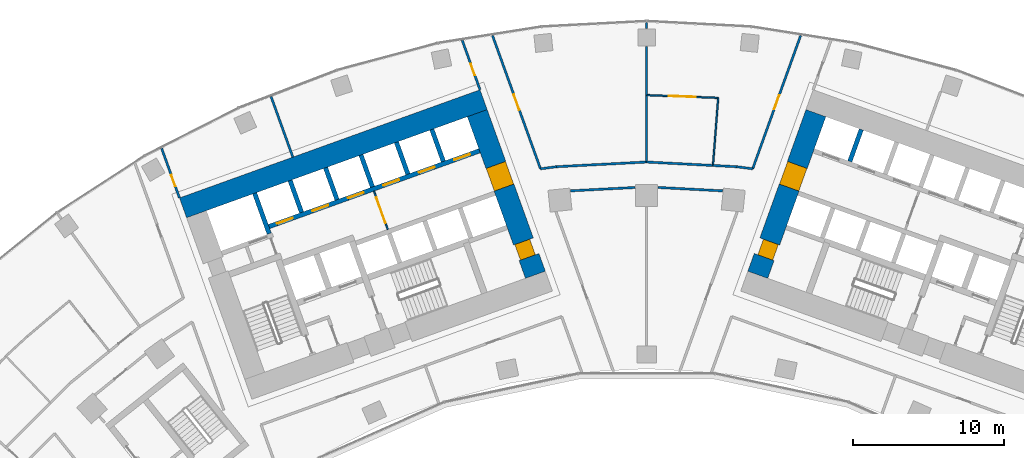
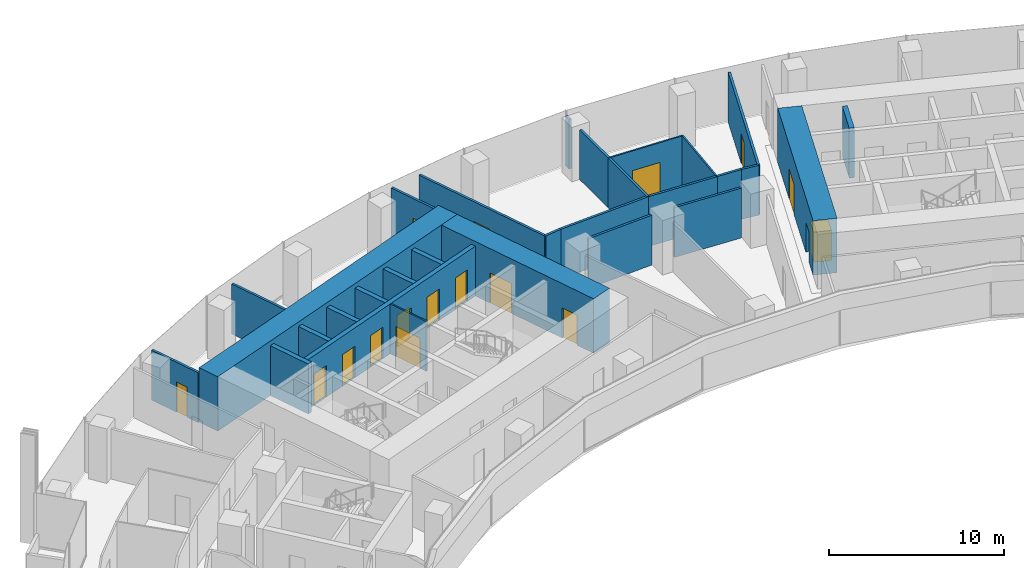
# One storey, part 15 of 20: 29 walls, 16 doors, 16 openings.
"""IFC4 building model written with IfcOpenShell, lengths in metres."""

from ifc_helpers import new_model, si_unit, direction, frame, frame_2d, origin, place, context, subcontext, project, spatial, rectangle, extrude, material, layer, layer_set, type_object, element, fill, save


model = new_model("IFC4")

# Units and contexts
model_context = context("Model", 3, precision=1e-05, world=origin(), true_north=direction((0.0, 1.0)))
body_context = subcontext(model_context, "Body", "Model", "MODEL_VIEW")
ifc_project = project(units=[si_unit("LENGTHUNIT", "METRE"), si_unit("AREAUNIT", "SQUARE_METRE"), si_unit("VOLUMEUNIT", "CUBIC_METRE"), si_unit("PLANEANGLEUNIT", "RADIAN"), si_unit("MASSUNIT", "GRAM", prefix="KILO")], contexts=[model_context])

# Site, building, storey
site_placement = place(None, origin())
site = spatial("IfcSite", under=ifc_project, at=site_placement, CompositionType="ELEMENT")
building_placement = place(site_placement, origin())
building = spatial("IfcBuilding", under=site, at=building_placement, Name="Stone Belt Terrace Tower", CompositionType="ELEMENT")
storey_placement = place(building_placement, frame((0.0, 0.0, 102.199951171875)))
storey = spatial("IfcBuildingStorey", under=building, at=storey_placement, Name="L24", CompositionType="ELEMENT", Elevation=102.199951171875)

# Wall, opening, door
ifc_material_1 = material(Name="Plasterboard partition")
ifc_layer_1 = layer(ifc_material_1, 0.10009765625)
ifc_layer_set_1 = layer_set([ifc_layer_1], Name="Core partition 100")
wall_type_1 = type_object("IfcWallType", Name="Core partition 100", PredefinedType="PARTITIONING", material=ifc_layer_set_1)
wall_1_placement = place(storey_placement, frame((-17.17724609375, 52.749755859375, 0.0), z_axis=(0.0, 0.0, 1.0), x_axis=(-0.338546555931, 0.940949642365, 0.0)))
wall_1 = element("IfcWall", 1, at=wall_1_placement, inside=storey, type_object=wall_type_1, Name="Core A wall", PredefinedType="PARTITIONING", context=body_context, shape_type="SweptSolid", body=[
    extrude(rectangle(XDim=2.699951171875, YDim=0.10009765625, at=frame_2d((1.35009765625, 0.0))), origin(), (0.0, 0.0, 1.0), 3.47998046875),
])
opening_1_placement = place(wall_1_placement, frame((0.449951171875, 0.0, 0.0)))
opening_1 = element("IfcOpeningElement", 2, at=opening_1_placement, cuts=wall_1, Name="Opening L24-C03", PredefinedType="OPENING", context=body_context, shape_type="SweptSolid", body=[
    extrude(rectangle(XDim=1.800048828125, YDim=2.10009765625, at=frame_2d((0.89990234375, 1.050048828125))), frame((0.0, 0.06005859375, 0.0), z_axis=(0.0, -1.0, 0.0), x_axis=(1.0, 0.0, 0.0)), (0.0, 0.0, 1.0), 0.1201171875),
])
ifc_material_2 = material(Name="Glazed aluminium door leaf", Category="aluminium")
door_type_1 = type_object("IfcDoorType", Name="Lift lobby entrance door 1800", OperationType="DOUBLE_DOOR_SINGLE_SWING", PredefinedType="DOOR", material=ifc_material_2)
door_1_placement = place(opening_1_placement, origin())
door_1 = element("IfcDoor", 3, at=door_1_placement, inside=storey, type_object=door_type_1, Name="Lift lobby double door core A", OperationType="DOUBLE_DOOR_SINGLE_SWING", OverallHeight=2.10009765625, OverallWidth=1.800048828125, PredefinedType="DOOR", context=body_context, shape_type="SweptSolid", body=[
    extrude(rectangle(XDim=1.800048828125, YDim=2.10009765625, at=frame_2d((0.89990234375, 1.050048828125))), frame((0.0, 0.02490234375, 0.0), z_axis=(0.0, -1.0, 0.0), x_axis=(1.0, 0.0, 0.0)), (0.0, 0.0, 1.0), 0.050048828125),
])
fill(opening_1, door_1)

# Wall
ifc_material_3 = material(Name="Concrete B80", Category="concrete")
ifc_layer_2 = layer(ifc_material_3, 1.39990234375)
ifc_layer_set_2 = layer_set([ifc_layer_2], Name="Core wall 1400 B80")
wall_type_2 = type_object("IfcWallType", Name="Core wall 1400 B80", PredefinedType="SHEAR", material=ifc_layer_set_2)
wall_2_placement = place(storey_placement, frame((-30.765380859375, 54.18310546875, 0.0), z_axis=(0.0, 0.0, 1.0), x_axis=(0.940919704758, 0.338629752382, 0.0)))
element("IfcWall", 4, at=wall_2_placement, inside=storey, type_object=wall_type_2, Name="Core A wall convex L24", PredefinedType="SHEAR", context=body_context, shape_type="SweptSolid", body=[
    extrude(rectangle(XDim=21.199951171875, YDim=1.39990234375, at=frame_2d((10.60009765625, 0.0))), origin(), (0.0, 0.0, 1.0), 3.800048828125),
])

# Wall, openings, doors
wall_3_placement = place(storey_placement, frame((-7.379150390625, 49.73974609375, 0.0), z_axis=(0.0, 0.0, 1.0), x_axis=(-0.338625431531, 0.940921259788, 0.0)))
wall_3 = element("IfcWall", 5, at=wall_3_placement, inside=storey, type_object=wall_type_2, Name="Core A wall end_b L24", PredefinedType="SHEAR", context=body_context, shape_type="SweptSolid", body=[
    extrude(rectangle(XDim=11.400146484375, YDim=1.39990234375, at=frame_2d((5.7001953125, 0.0))), origin(), (0.0, 0.0, 1.0), 3.800048828125),
])
opening_2_placement = place(wall_3_placement, frame((6.14990234375, 0.0, 0.0)))
opening_2 = element("IfcOpeningElement", 6, at=opening_2_placement, cuts=wall_3, Name="Opening L24-C04", PredefinedType="OPENING", context=body_context, shape_type="SweptSolid", body=[
    extrude(rectangle(XDim=1.60009765625, YDim=2.10009765625, at=frame_2d((0.800048828125, 1.050048828125))), frame((0.0, 0.7099609375, 0.0), z_axis=(0.0, -1.0, 0.0), x_axis=(1.0, 0.0, 0.0)), (0.0, 0.0, 1.0), 1.419921875),
])
opening_3_placement = place(wall_3_placement, frame((1.25, 0.0, 0.0)))
opening_3 = element("IfcOpeningElement", 7, at=opening_3_placement, cuts=wall_3, Name="Opening L24-C10", PredefinedType="OPENING", context=body_context, shape_type="SweptSolid", body=[
    extrude(rectangle(XDim=1.10009765625, YDim=2.10009765625, at=frame_2d((0.550048828125, 1.050048828125))), frame((0.0, 0.7099609375, 0.0), z_axis=(0.0, -1.0, 0.0), x_axis=(1.0, 0.0, 0.0)), (0.0, 0.0, 1.0), 1.419921875),
])
ifc_material_4 = material(Name="Timber door leaf", Category="wood")
door_type_2 = type_object("IfcDoorType", Name="Core room door 1100", OperationType="SINGLE_SWING_LEFT", PredefinedType="DOOR", material=ifc_material_4)
door_2_placement = place(opening_3_placement, origin())
door_2 = element("IfcDoor", 8, at=door_2_placement, inside=storey, type_object=door_type_2, Name="Door to Electrical riser room core A", OperationType="SINGLE_SWING_LEFT", OverallHeight=2.10009765625, OverallWidth=1.10009765625, PredefinedType="DOOR", context=body_context, shape_type="SweptSolid", body=[
    extrude(rectangle(XDim=1.10009765625, YDim=2.10009765625, at=frame_2d((0.550048828125, 1.050048828125))), frame((0.0, 0.60498046875, 0.0), z_axis=(0.0, -1.0, 0.0), x_axis=(1.0, 0.0, 0.0)), (0.0, 0.0, 1.0), 1.050048828125),
])
fill(opening_3, door_2)
door_type_3 = type_object("IfcDoorType", Name="Lift lobby entrance door 1600", OperationType="DOUBLE_DOOR_SINGLE_SWING", PredefinedType="DOOR", material=ifc_material_2)
door_3_placement = place(opening_2_placement, origin())
door_3 = element("IfcDoor", 9, at=door_3_placement, inside=storey, type_object=door_type_3, Name="Lift lobby entrance door core A", OperationType="DOUBLE_DOOR_SINGLE_SWING", OverallHeight=2.10009765625, OverallWidth=1.60009765625, PredefinedType="DOOR", context=body_context, shape_type="SweptSolid", body=[
    extrude(rectangle(XDim=1.60009765625, YDim=2.10009765625, at=frame_2d((0.800048828125, 1.050048828125))), frame((0.0, 0.68017578125, 0.0), z_axis=(0.0, -1.0, 0.0), x_axis=(1.0, 0.0, 0.0)), (0.0, 0.0, 1.0), 1.360107421875),
])
fill(opening_2, door_3)

wall_4_placement = place(storey_placement, frame((7.379150390625, 49.73974609375, 0.0), z_axis=(0.0, 0.0, 1.0), x_axis=(0.338625431531, 0.940921259788, 0.0)))
wall_4 = element("IfcWall", 10, at=wall_4_placement, inside=storey, type_object=wall_type_2, Name="Core B wall end_a L24", PredefinedType="SHEAR", context=body_context, shape_type="SweptSolid", body=[
    extrude(rectangle(XDim=11.400146484375, YDim=1.39990234375, at=frame_2d((5.7001953125, 0.0))), origin(), (0.0, 0.0, 1.0), 3.800048828125),
])
opening_4_placement = place(wall_4_placement, frame((6.14990234375, 0.0, 0.0)))
opening_4 = element("IfcOpeningElement", 11, at=opening_4_placement, cuts=wall_4, Name="Opening L24-C14", PredefinedType="OPENING", context=body_context, shape_type="SweptSolid", body=[
    extrude(rectangle(XDim=1.60009765625, YDim=2.10009765625, at=frame_2d((0.800048828125, 1.050048828125))), frame((0.0, 0.7099609375, 0.0), z_axis=(0.0, -1.0, 0.0), x_axis=(1.0, 0.0, 0.0)), (0.0, 0.0, 1.0), 1.419921875),
])
opening_5_placement = place(wall_4_placement, frame((1.25, 0.0, 0.0)))
opening_5 = element("IfcOpeningElement", 12, at=opening_5_placement, cuts=wall_4, Name="Opening L24-C20", PredefinedType="OPENING", context=body_context, shape_type="SweptSolid", body=[
    extrude(rectangle(XDim=1.10009765625, YDim=2.10009765625, at=frame_2d((0.550048828125, 1.050048828125))), frame((0.0, 0.7099609375, 0.0), z_axis=(0.0, -1.0, 0.0), x_axis=(1.0, 0.0, 0.0)), (0.0, 0.0, 1.0), 1.419921875),
])
door_4_placement = place(opening_5_placement, origin())
door_4 = element("IfcDoor", 13, at=door_4_placement, inside=storey, type_object=door_type_2, Name="Door to Electrical riser room core B", OperationType="SINGLE_SWING_RIGHT", OverallHeight=2.10009765625, OverallWidth=1.10009765625, PredefinedType="DOOR", context=body_context, shape_type="SweptSolid", body=[
    extrude(rectangle(XDim=1.10009765625, YDim=2.10009765625, at=frame_2d((0.550048828125, 1.050048828125))), frame((0.0, 0.44482421875, 0.0), z_axis=(0.0, -1.0, 0.0), x_axis=(1.0, 0.0, 0.0)), (0.0, 0.0, 1.0), 1.050048828125),
])
fill(opening_5, door_4)
door_5_placement = place(opening_4_placement, origin())
door_5 = element("IfcDoor", 14, at=door_5_placement, inside=storey, type_object=door_type_3, Name="Lift lobby entrance door core B", OperationType="DOUBLE_DOOR_SINGLE_SWING", OverallHeight=2.10009765625, OverallWidth=1.60009765625, PredefinedType="DOOR", context=body_context, shape_type="SweptSolid", body=[
    extrude(rectangle(XDim=1.60009765625, YDim=2.10009765625, at=frame_2d((0.800048828125, 1.050048828125))), frame((0.0, 0.68017578125, 0.0), z_axis=(0.0, -1.0, 0.0), x_axis=(1.0, 0.0, 0.0)), (0.0, 0.0, 1.0), 1.360107421875),
])
fill(opening_4, door_5)

# Wall
ifc_layer_3 = layer(ifc_material_3, 0.300048828125)
ifc_layer_set_3 = layer_set([ifc_layer_3], Name="Lift shaft wall 300")
wall_type_3 = type_object("IfcWallType", Name="Lift shaft wall 300", PredefinedType="SHEAR", material=ifc_layer_set_3)
wall_5_placement = place(storey_placement, frame((-25.046875, 52.46826171875, 0.0), z_axis=(0.0, 0.0, 1.0), x_axis=(-0.338549588058, 0.940948551423, 0.0)))
element("IfcWall", 15, at=wall_5_placement, inside=storey, type_object=wall_type_3, Name="Core A wall", PredefinedType="SHEAR", context=body_context, shape_type="SweptSolid", body=[
    extrude(rectangle(XDim=2.849853515625, YDim=0.300048828125, at=frame_2d((1.4248046875, 0.0))), origin(), (0.0, 0.0, 1.0), 3.47998046875),
])

# Wall, openings, doors
wall_6_placement = place(storey_placement, frame((-25.05810546875, 52.9423828125, 0.0), z_axis=(0.0, 0.0, 1.0), x_axis=(0.940918215764, 0.338633889685, 0.0)))
wall_6 = element("IfcWall", 16, at=wall_6_placement, inside=storey, type_object=wall_type_3, Name="Core A wall", PredefinedType="SHEAR", context=body_context, shape_type="SweptSolid", body=[
    extrude(rectangle(XDim=14.850341796875, YDim=0.300048828125, at=frame_2d((7.42529296875, 0.0))), origin(), (0.0, 0.0, 1.0), 3.47998046875),
])
opening_6_placement = place(wall_6_placement, frame((0.570068359375, 0.0, 0.0)))
opening_6 = element("IfcOpeningElement", 17, at=opening_6_placement, cuts=wall_6, Name="Opening L24-LD01", PredefinedType="OPENING", context=body_context, shape_type="SweptSolid", body=[
    extrude(rectangle(XDim=1.10009765625, YDim=2.199951171875, at=frame_2d((0.550048828125, 1.10009765625))), frame((0.0, 0.159912109375, 0.0), z_axis=(0.0, -1.0, 0.0), x_axis=(1.0, 0.0, 0.0)), (0.0, 0.0, 1.0), 0.320068359375),
])
opening_7_placement = place(wall_6_placement, frame((3.070068359375, 0.0, 0.0)))
opening_7 = element("IfcOpeningElement", 18, at=opening_7_placement, cuts=wall_6, Name="Opening L24-LD02", PredefinedType="OPENING", context=body_context, shape_type="SweptSolid", body=[
    extrude(rectangle(XDim=1.10009765625, YDim=2.199951171875, at=frame_2d((0.550048828125, 1.10009765625))), frame((0.0, 0.159912109375, 0.0), z_axis=(0.0, -1.0, 0.0), x_axis=(1.0, 0.0, 0.0)), (0.0, 0.0, 1.0), 0.320068359375),
])
opening_8_placement = place(wall_6_placement, frame((5.570068359375, 0.0, 0.0)))
opening_8 = element("IfcOpeningElement", 19, at=opening_8_placement, cuts=wall_6, Name="Opening L24-LD03", PredefinedType="OPENING", context=body_context, shape_type="SweptSolid", body=[
    extrude(rectangle(XDim=1.10009765625, YDim=2.199951171875, at=frame_2d((0.550048828125, 1.10009765625))), frame((0.0, 0.159912109375, 0.0), z_axis=(0.0, -1.0, 0.0), x_axis=(1.0, 0.0, 0.0)), (0.0, 0.0, 1.0), 0.320068359375),
])
opening_9_placement = place(wall_6_placement, frame((8.070068359375, 0.0, 0.0)))
opening_9 = element("IfcOpeningElement", 20, at=opening_9_placement, cuts=wall_6, Name="Opening L24-LD04", PredefinedType="OPENING", context=body_context, shape_type="SweptSolid", body=[
    extrude(rectangle(XDim=1.10009765625, YDim=2.199951171875, at=frame_2d((0.550048828125, 1.10009765625))), frame((0.0, 0.159912109375, 0.0), z_axis=(0.0, -1.0, 0.0), x_axis=(1.0, 0.0, 0.0)), (0.0, 0.0, 1.0), 0.320068359375),
])
opening_10_placement = place(wall_6_placement, frame((10.570068359375, 0.0, 0.0)))
opening_10 = element("IfcOpeningElement", 21, at=opening_10_placement, cuts=wall_6, Name="Opening L24-LD05", PredefinedType="OPENING", context=body_context, shape_type="SweptSolid", body=[
    extrude(rectangle(XDim=1.10009765625, YDim=2.199951171875, at=frame_2d((0.550048828125, 1.10009765625))), frame((0.0, 0.159912109375, 0.0), z_axis=(0.0, -1.0, 0.0), x_axis=(1.0, 0.0, 0.0)), (0.0, 0.0, 1.0), 0.320068359375),
])
opening_11_placement = place(wall_6_placement, frame((13.070068359375, 0.0, 0.0)))
opening_11 = element("IfcOpeningElement", 22, at=opening_11_placement, cuts=wall_6, Name="Opening L24-LD06", PredefinedType="OPENING", context=body_context, shape_type="SweptSolid", body=[
    extrude(rectangle(XDim=1.10009765625, YDim=2.199951171875, at=frame_2d((0.550048828125, 1.10009765625))), frame((0.0, 0.159912109375, 0.0), z_axis=(0.0, -1.0, 0.0), x_axis=(1.0, 0.0, 0.0)), (0.0, 0.0, 1.0), 0.320068359375),
])
ifc_material_5 = material(Name="Stainless steel door leaf", Category="steel")
door_type_4 = type_object("IfcDoorType", Name="Landing door 1100", OperationType="SLIDING_TO_LEFT", PredefinedType="DOOR", material=ifc_material_5)
door_6_placement = place(opening_6_placement, origin())
door_6 = element("IfcDoor", 23, at=door_6_placement, inside=storey, type_object=door_type_4, Name="Landing door LR1 core A", OperationType="SLIDING_TO_LEFT", OverallHeight=2.199951171875, OverallWidth=1.10009765625, PredefinedType="DOOR", context=body_context, shape_type="SweptSolid", body=[
    extrude(rectangle(XDim=1.10009765625, YDim=2.199951171875, at=frame_2d((0.550048828125, 1.10009765625))), frame((0.0, 0.02490234375, 0.0), z_axis=(0.0, -1.0, 0.0), x_axis=(1.0, 0.0, 0.0)), (0.0, 0.0, 1.0), 0.050048828125),
])
fill(opening_6, door_6)
door_7_placement = place(opening_7_placement, origin())
door_7 = element("IfcDoor", 24, at=door_7_placement, inside=storey, type_object=door_type_4, Name="Landing door LR2 core A", OperationType="SLIDING_TO_LEFT", OverallHeight=2.199951171875, OverallWidth=1.10009765625, PredefinedType="DOOR", context=body_context, shape_type="SweptSolid", body=[
    extrude(rectangle(XDim=1.10009765625, YDim=2.199951171875, at=frame_2d((0.550048828125, 1.10009765625))), frame((0.0, 0.02490234375, 0.0), z_axis=(0.0, -1.0, 0.0), x_axis=(1.0, 0.0, 0.0)), (0.0, 0.0, 1.0), 0.050048828125),
])
fill(opening_7, door_7)
door_8_placement = place(opening_8_placement, origin())
door_8 = element("IfcDoor", 25, at=door_8_placement, inside=storey, type_object=door_type_4, Name="Landing door LR3 core A", OperationType="SLIDING_TO_LEFT", OverallHeight=2.199951171875, OverallWidth=1.10009765625, PredefinedType="DOOR", context=body_context, shape_type="SweptSolid", body=[
    extrude(rectangle(XDim=1.10009765625, YDim=2.199951171875, at=frame_2d((0.550048828125, 1.10009765625))), frame((0.0, 0.02490234375, 0.0), z_axis=(0.0, -1.0, 0.0), x_axis=(1.0, 0.0, 0.0)), (0.0, 0.0, 1.0), 0.050048828125),
])
fill(opening_8, door_8)
door_9_placement = place(opening_9_placement, origin())
door_9 = element("IfcDoor", 26, at=door_9_placement, inside=storey, type_object=door_type_4, Name="Landing door LR4 core A", OperationType="SLIDING_TO_LEFT", OverallHeight=2.199951171875, OverallWidth=1.10009765625, PredefinedType="DOOR", context=body_context, shape_type="SweptSolid", body=[
    extrude(rectangle(XDim=1.10009765625, YDim=2.199951171875, at=frame_2d((0.550048828125, 1.10009765625))), frame((0.0, 0.02490234375, 0.0), z_axis=(0.0, -1.0, 0.0), x_axis=(1.0, 0.0, 0.0)), (0.0, 0.0, 1.0), 0.050048828125),
])
fill(opening_9, door_9)
door_10_placement = place(opening_10_placement, origin())
door_10 = element("IfcDoor", 27, at=door_10_placement, inside=storey, type_object=door_type_4, Name="Landing door LR5 core A", OperationType="SLIDING_TO_LEFT", OverallHeight=2.199951171875, OverallWidth=1.10009765625, PredefinedType="DOOR", context=body_context, shape_type="SweptSolid", body=[
    extrude(rectangle(XDim=1.10009765625, YDim=2.199951171875, at=frame_2d((0.550048828125, 1.10009765625))), frame((0.0, 0.02490234375, 0.0), z_axis=(0.0, -1.0, 0.0), x_axis=(1.0, 0.0, 0.0)), (0.0, 0.0, 1.0), 0.050048828125),
])
fill(opening_10, door_10)
door_11_placement = place(opening_11_placement, origin())
door_11 = element("IfcDoor", 28, at=door_11_placement, inside=storey, type_object=door_type_4, Name="Landing door LR6 core A", OperationType="SLIDING_TO_LEFT", OverallHeight=2.199951171875, OverallWidth=1.10009765625, PredefinedType="DOOR", context=body_context, shape_type="SweptSolid", body=[
    extrude(rectangle(XDim=1.10009765625, YDim=2.199951171875, at=frame_2d((0.550048828125, 1.10009765625))), frame((0.0, 0.02490234375, 0.0), z_axis=(0.0, -1.0, 0.0), x_axis=(1.0, 0.0, 0.0)), (0.0, 0.0, 1.0), 0.050048828125),
])
fill(opening_11, door_11)

# Walls
wall_7_placement = place(storey_placement, frame((-22.897705078125, 53.87939453125, 0.0), z_axis=(0.0, 0.0, 1.0), x_axis=(-0.338535034312, 0.940953787677, 0.0)))
element("IfcWall", 29, at=wall_7_placement, inside=storey, type_object=wall_type_3, Name="Core A wall", PredefinedType="SHEAR", context=body_context, shape_type="SweptSolid", body=[
    extrude(rectangle(XDim=2.25, YDim=0.300048828125, at=frame_2d((1.125, 0.0))), origin(), (0.0, 0.0, 1.0), 3.47998046875),
])
wall_8_placement = place(storey_placement, frame((-20.54541015625, 54.72607421875, 0.0), z_axis=(0.0, 0.0, 1.0), x_axis=(-0.338569601369, 0.940941350472, 0.0)))
element("IfcWall", 30, at=wall_8_placement, inside=storey, type_object=wall_type_3, Name="Core A wall", PredefinedType="SHEAR", context=body_context, shape_type="SweptSolid", body=[
    extrude(rectangle(XDim=2.249755859375, YDim=0.300048828125, at=frame_2d((1.125, 0.0))), origin(), (0.0, 0.0, 1.0), 3.47998046875),
])
wall_9_placement = place(storey_placement, frame((-18.193115234375, 55.572509765625, 0.0), z_axis=(0.0, 0.0, 1.0), x_axis=(-0.338535034312, 0.940953787677, 0.0)))
element("IfcWall", 31, at=wall_9_placement, inside=storey, type_object=wall_type_3, Name="Core A wall", PredefinedType="SHEAR", context=body_context, shape_type="SweptSolid", body=[
    extrude(rectangle(XDim=2.25, YDim=0.300048828125, at=frame_2d((1.125, 0.0))), origin(), (0.0, 0.0, 1.0), 3.47998046875),
])
wall_10_placement = place(storey_placement, frame((-15.8408203125, 56.419189453125, 0.0), z_axis=(0.0, 0.0, 1.0), x_axis=(-0.338569601369, 0.940941350472, 0.0)))
element("IfcWall", 32, at=wall_10_placement, inside=storey, type_object=wall_type_3, Name="Core A wall", PredefinedType="SHEAR", context=body_context, shape_type="SweptSolid", body=[
    extrude(rectangle(XDim=2.249755859375, YDim=0.300048828125, at=frame_2d((1.125, 0.0))), origin(), (0.0, 0.0, 1.0), 3.47998046875),
])
for number, where, z_axis, x_axis, name in (
    (33, (-13.48828125, 57.265625, 0.0), (0.0, 0.0, 1.0), (-0.338631098537, 0.940919220286, 0.0), "Core A wall"),
    (34, (13.48828125, 57.265625, 0.0), (0.0, 0.0, 1.0), (0.338631098537, 0.940919220286, 0.0), "Core B wall"),
):
    element("IfcWall", number, at=place(storey_placement, frame(where, z_axis=z_axis, x_axis=x_axis)), inside=storey, type_object=wall_type_3, Name=name, PredefinedType="SHEAR", context=body_context, shape_type="SweptSolid", body=[
        extrude(rectangle(XDim=2.250244140625, YDim=0.300048828125, at=frame_2d((1.125, 0.0))), origin(), (0.0, 0.0, 1.0), 3.47998046875),
    ])
ifc_material_6 = material(Name="Gypsum board partition")
ifc_layer_4 = layer(ifc_material_6, 0.10009765625)
ifc_layer_set_4 = layer_set([ifc_layer_4], Name="PARTITION 100")
wall_type_4 = type_object("IfcWallType", Name="PARTITION 100", PredefinedType="PARTITIONING", material=ifc_layer_set_4)
wall_11_placement = place(storey_placement, frame((4.405029296875, 56.9951171875, 0.0), z_axis=(0.0, 0.0, 1.0), x_axis=(0.077107292913, 0.997022800832, 0.0)))
element("IfcWall", 35, at=wall_11_placement, inside=storey, type_object=wall_type_4, Name="L24/wall/i094", PredefinedType="PARTITIONING", context=body_context, shape_type="SweptSolid", body=[
    extrude(rectangle(XDim=4.499267578125, YDim=0.10009765625, at=frame_2d((2.24951171875, 0.0))), origin(), (0.0, 0.0, 1.0), 3.47998046875),
])

# Wall, opening, door
wall_12_placement = place(storey_placement, frame((4.751953125, 61.48095703125, 0.0), z_axis=(0.0, 0.0, 1.0), x_axis=(-0.99925844213, 0.0385041015, 0.0)))
wall_12 = element("IfcWall", 36, at=wall_12_placement, inside=storey, type_object=wall_type_4, Name="L24/wall/i095", PredefinedType="PARTITIONING", context=body_context, shape_type="SweptSolid", body=[
    extrude(rectangle(XDim=4.75537109375, YDim=0.10009765625, at=frame_2d((2.377685546875, 0.0))), origin(), (0.0, 0.0, 1.0), 3.47998046875),
])
opening_12_placement = place(wall_12_placement, frame((1.477783203125, 0.0, 0.0)))
opening_12 = element("IfcOpeningElement", 37, at=opening_12_placement, cuts=wall_12, Name="Opening D-B3-30", PredefinedType="OPENING", context=body_context, shape_type="SweptSolid", body=[
    extrude(rectangle(XDim=1.800048828125, YDim=2.10009765625, at=frame_2d((0.89990234375, 1.050048828125))), frame((0.0, 0.06005859375, 0.0), z_axis=(0.0, -1.0, 0.0), x_axis=(1.0, 0.0, 0.0)), (0.0, 0.0, 1.0), 0.1201171875),
])
door_type_5 = type_object("IfcDoorType", Name="DOUBLE DOOR 1800 X 2100", OperationType="DOUBLE_DOOR_SINGLE_SWING", PredefinedType="DOOR", material=ifc_material_4)
door_12_placement = place(opening_12_placement, origin())
door_12 = element("IfcDoor", 38, at=door_12_placement, inside=storey, type_object=door_type_5, Name="L24/door/i30", OperationType="DOUBLE_DOOR_SINGLE_SWING", OverallHeight=2.10009765625, OverallWidth=1.800048828125, PredefinedType="DOOR", context=body_context, shape_type="SweptSolid", body=[
    extrude(rectangle(XDim=1.800048828125, YDim=2.10009765625, at=frame_2d((0.89990234375, 1.050048828125))), frame((0.0, 0.02490234375, 0.0), z_axis=(0.0, -1.0, 0.0), x_axis=(1.0, 0.0, 0.0)), (0.0, 0.0, 1.0), 0.050048828125),
])
fill(opening_12, door_12)

ifc_layer_5 = layer(ifc_material_6, 0.14990234375)
ifc_layer_set_5 = layer_set([ifc_layer_5], Name="PARTITION 150 EI 60")
wall_type_5 = type_object("IfcWallType", Name="PARTITION 150 EI 60", PredefinedType="PARTITIONING", material=ifc_layer_set_5)
wall_13_placement = place(storey_placement, frame((-32.185791015625, 58.131103515625, 0.0), z_axis=(0.0, 0.0, 1.0), x_axis=(0.338662585219, -0.940907887826, 0.0)))
wall_13 = element("IfcWall", 39, at=wall_13_placement, inside=storey, type_object=wall_type_5, Name="L24/wall/i002", PredefinedType="PARTITIONING", context=body_context, shape_type="SweptSolid", body=[
    extrude(rectangle(XDim=3.49560546875, YDim=0.14990234375, at=frame_2d((1.747802734375, 0.0))), origin(), (0.0, 0.0, 1.0), 3.47998046875),
])
opening_13_placement = place(wall_13_placement, frame((1.871826171875, 0.0, 0.0)))
opening_13 = element("IfcOpeningElement", 40, at=opening_13_placement, cuts=wall_13, Name="Opening D-B3-03", PredefinedType="OPENING", context=body_context, shape_type="SweptSolid", body=[
    extrude(rectangle(XDim=0.800048828125, YDim=2.10009765625, at=frame_2d((0.39990234375, 1.050048828125))), frame((0.0, 0.0849609375, 0.0), z_axis=(0.0, -1.0, 0.0), x_axis=(1.0, 0.0, 0.0)), (0.0, 0.0, 1.0), 0.169921875),
])
door_type_6 = type_object("IfcDoorType", Name="STORE DOOR 800 X 2100", OperationType="NOTDEFINED", PredefinedType="DOOR", material=ifc_material_4)
door_13_placement = place(opening_13_placement, origin())
door_13 = element("IfcDoor", 41, at=door_13_placement, inside=storey, type_object=door_type_6, Name="L24/door/i03", OperationType="SINGLE_SWING_RIGHT", OverallHeight=2.10009765625, OverallWidth=0.800048828125, PredefinedType="DOOR", context=body_context, shape_type="SweptSolid", body=[
    extrude(rectangle(XDim=0.800048828125, YDim=2.10009765625, at=frame_2d((0.39990234375, 1.050048828125))), frame((0.0, 0.02490234375, 0.0), z_axis=(0.0, -1.0, 0.0), x_axis=(1.0, 0.0, 0.0)), (0.0, 0.0, 1.0), 0.050048828125),
])
fill(opening_13, door_13)

wall_14_placement = place(storey_placement, frame((-11.054931640625, 62.02099609375, 0.0), z_axis=(0.0, 0.0, 1.0), x_axis=(-0.338853532575, 0.94083913793, 0.0)))
wall_14 = element("IfcWall", 42, at=wall_14_placement, inside=storey, type_object=wall_type_5, Name="L24/wall/i007", PredefinedType="PARTITIONING", context=body_context, shape_type="SweptSolid", body=[
    extrude(rectangle(XDim=3.482177734375, YDim=0.14990234375, at=frame_2d((1.7412109375, 0.0))), origin(), (0.0, 0.0, 1.0), 3.47998046875),
])
opening_14_placement = place(wall_14_placement, frame((1.02880859375, 0.0, 0.0)))
opening_14 = element("IfcOpeningElement", 43, at=opening_14_placement, cuts=wall_14, Name="Opening D-B3-04", PredefinedType="OPENING", context=body_context, shape_type="SweptSolid", body=[
    extrude(rectangle(XDim=0.800048828125, YDim=2.10009765625, at=frame_2d((0.39990234375, 1.050048828125))), frame((0.0, 0.0849609375, 0.0), z_axis=(0.0, -1.0, 0.0), x_axis=(1.0, 0.0, 0.0)), (0.0, 0.0, 1.0), 0.169921875),
])
door_14_placement = place(opening_14_placement, origin())
door_14 = element("IfcDoor", 44, at=door_14_placement, inside=storey, type_object=door_type_6, Name="L24/door/i04", OperationType="SINGLE_SWING_LEFT", OverallHeight=2.10009765625, OverallWidth=0.800048828125, PredefinedType="DOOR", context=body_context, shape_type="SweptSolid", body=[
    extrude(rectangle(XDim=0.800048828125, YDim=2.10009765625, at=frame_2d((0.39990234375, 1.050048828125))), frame((0.0, 0.02490234375, 0.0), z_axis=(0.0, -1.0, 0.0), x_axis=(1.0, 0.0, 0.0)), (0.0, 0.0, 1.0), 0.050048828125),
])
fill(opening_14, door_14)

wall_15_placement = place(storey_placement, frame((-10.223876953125, 65.6162109375, 0.0), z_axis=(0.0, 0.0, 1.0), x_axis=(0.338637655092, -0.940916860596, 0.0)))
wall_15 = element("IfcWall", 45, at=wall_15_placement, inside=storey, type_object=wall_type_5, Name="L24/wall/i009", PredefinedType="PARTITIONING", context=body_context, shape_type="SweptSolid", body=[
    extrude(rectangle(XDim=9.40478515625, YDim=0.14990234375, at=frame_2d((4.702392578125, 0.0))), origin(), (0.0, 0.0, 1.0), 3.47998046875),
])
opening_15_placement = place(wall_15_placement, frame((4.15234375, 0.0, 0.0)))
opening_15 = element("IfcOpeningElement", 46, at=opening_15_placement, cuts=wall_15, Name="Opening D-B3-28", PredefinedType="OPENING", context=body_context, shape_type="SweptSolid", body=[
    extrude(rectangle(XDim=1.10009765625, YDim=2.10009765625, at=frame_2d((0.550048828125, 1.050048828125))), frame((0.0, 0.0849609375, 0.0), z_axis=(0.0, -1.0, 0.0), x_axis=(1.0, 0.0, 0.0)), (0.0, 0.0, 1.0), 0.169921875),
])
ifc_material_7 = material(Name="Steel fire door set", Category="steel")
door_type_7 = type_object("IfcDoorType", Name="SERVICE ROOM DOOR 1100 X 2100", OperationType="NOTDEFINED", PredefinedType="DOOR", material=ifc_material_7)
door_15_placement = place(opening_15_placement, origin())
door_15 = element("IfcDoor", 47, at=door_15_placement, inside=storey, type_object=door_type_7, Name="L24/door/i28", OperationType="SINGLE_SWING_RIGHT", OverallHeight=2.10009765625, OverallWidth=1.10009765625, PredefinedType="DOOR", context=body_context, shape_type="SweptSolid", body=[
    extrude(rectangle(XDim=1.10009765625, YDim=2.10009765625, at=frame_2d((0.550048828125, 1.050048828125))), frame((0.0, 0.02490234375, 0.0), z_axis=(0.0, -1.0, 0.0), x_axis=(1.0, 0.0, 0.0)), (0.0, 0.0, 1.0), 0.050048828125),
])
fill(opening_15, door_15)

# Wall
wall_16_placement = place(storey_placement, frame((-24.921875, 61.566162109375, 0.0), z_axis=(0.0, 0.0, 1.0), x_axis=(0.338516906477, -0.940960309487, 0.0)))
element("IfcWall", 48, at=wall_16_placement, inside=storey, type_object=wall_type_5, Name="L24/wall/i013", PredefinedType="PARTITIONING", context=body_context, shape_type="SweptSolid", body=[
    extrude(rectangle(XDim=4.26806640625, YDim=0.14990234375, at=frame_2d((2.134033203125, 0.0))), origin(), (0.0, 0.0, 1.0), 3.47998046875),
])

# Wall, opening, door
wall_17_placement = place(storey_placement, frame((7.0390625, 56.76708984375, 0.0), z_axis=(0.0, 0.0, 1.0), x_axis=(0.338637655092, 0.940916860596, 0.0)))
wall_17 = element("IfcWall", 49, at=wall_17_placement, inside=storey, type_object=wall_type_5, Name="L24/wall/i017", PredefinedType="PARTITIONING", context=body_context, shape_type="SweptSolid", body=[
    extrude(rectangle(XDim=9.40478515625, YDim=0.14990234375, at=frame_2d((4.702392578125, 0.0))), origin(), (0.0, 0.0, 1.0), 3.47998046875),
])
opening_16_placement = place(wall_17_placement, frame((4.202392578125, 0.0, 0.0)))
opening_16 = element("IfcOpeningElement", 50, at=opening_16_placement, cuts=wall_17, Name="Opening D-B3-29", PredefinedType="OPENING", context=body_context, shape_type="SweptSolid", body=[
    extrude(rectangle(XDim=1.0, YDim=2.10009765625, at=frame_2d((0.5, 1.050048828125))), frame((0.0, 0.0849609375, 0.0), z_axis=(0.0, -1.0, 0.0), x_axis=(1.0, 0.0, 0.0)), (0.0, 0.0, 1.0), 0.169921875),
])
ifc_material_8 = material(Name="Timber fire door leaf", Category="wood")
door_type_8 = type_object("IfcDoorType", Name="TENANCY ENTRANCE DOOR 1000 X 2100", OperationType="NOTDEFINED", PredefinedType="DOOR", material=ifc_material_8)
door_16_placement = place(opening_16_placement, origin())
door_16 = element("IfcDoor", 51, at=door_16_placement, inside=storey, type_object=door_type_8, Name="L24/door/i29", OperationType="SINGLE_SWING_RIGHT", OverallHeight=2.10009765625, OverallWidth=1.0, PredefinedType="DOOR", context=body_context, shape_type="SweptSolid", body=[
    extrude(rectangle(XDim=1.0, YDim=2.10009765625, at=frame_2d((0.5, 1.050048828125))), frame((0.0, 0.02490234375, 0.0), z_axis=(0.0, -1.0, 0.0), x_axis=(1.0, 0.0, 0.0)), (0.0, 0.0, 1.0), 0.050048828125),
])
fill(opening_16, door_16)

# Walls
for number, where, z_axis, x_axis, name in (
    (52, (-0.7548828125, 55.535400390625, 0.0), (0.0, 0.0, 1.0), (-0.998635163173, -0.052228448909, 0.0), "L24/wall/i083"),
    (53, (5.05419921875, 55.310546875, 0.0), (0.0, 0.0, 1.0), (-0.998635163173, 0.052228448909, 0.0), "L24/wall/i084"),
):
    element("IfcWall", number, at=place(storey_placement, frame(where, z_axis=z_axis, x_axis=x_axis)), inside=storey, type_object=wall_type_5, Name=name, PredefinedType="PARTITIONING", context=body_context, shape_type="SweptSolid", body=[
        extrude(rectangle(XDim=4.30517578125, YDim=0.14990234375, at=frame_2d((2.152587890625, 0.0))), origin(), (0.0, 0.0, 1.0), 3.47998046875),
    ])
wall_18_placement = place(storey_placement, frame((-7.041015625, 56.77294921875, 0.0), z_axis=(0.0, 0.0, 1.0), x_axis=(0.991477617634, 0.130277142013, 0.0)))
element("IfcWall", 54, at=wall_18_placement, inside=storey, type_object=wall_type_5, Name="L24/wall/i085", PredefinedType="PARTITIONING", context=body_context, shape_type="SweptSolid", body=[
    extrude(rectangle(XDim=1.068115234375, YDim=0.14990234375, at=frame_2d((0.5341796875, 0.0))), origin(), (0.0, 0.0, 1.0), 3.47998046875),
])
wall_19_placement = place(storey_placement, frame((-5.98193359375, 56.912109375, 0.0), z_axis=(0.0, 0.0, 1.0), x_axis=(0.998633994648, 0.052250786921, 0.0)))
element("IfcWall", 55, at=wall_19_placement, inside=storey, type_object=wall_type_5, Name="L24/wall/i086", PredefinedType="PARTITIONING", context=body_context, shape_type="SweptSolid", body=[
    extrude(rectangle(XDim=5.990234375, YDim=0.14990234375, at=frame_2d((2.9951171875, 0.0))), origin(), (0.0, 0.0, 1.0), 3.47998046875),
])
wall_20_placement = place(storey_placement, frame((4.39892578125, 56.9951171875, 0.0), z_axis=(0.0, 0.0, 1.0), x_axis=(0.998628021373, -0.052364825303, 0.0)))
element("IfcWall", 56, at=wall_20_placement, inside=storey, type_object=wall_type_5, Name="L24/wall/i087", PredefinedType="PARTITIONING", context=body_context, shape_type="SweptSolid", body=[
    extrude(rectangle(XDim=1.585205078125, YDim=0.14990234375, at=frame_2d((0.79248046875, 0.0))), origin(), (0.0, 0.0, 1.0), 3.47998046875),
])
wall_21_placement = place(storey_placement, frame((5.98193359375, 56.912109375, 0.0), z_axis=(0.0, 0.0, 1.0), x_axis=(0.991477617634, -0.130277142013, 0.0)))
element("IfcWall", 57, at=wall_21_placement, inside=storey, type_object=wall_type_5, Name="L24/wall/i088", PredefinedType="PARTITIONING", context=body_context, shape_type="SweptSolid", body=[
    extrude(rectangle(XDim=1.068115234375, YDim=0.14990234375, at=frame_2d((0.5341796875, 0.0))), origin(), (0.0, 0.0, 1.0), 3.47998046875),
])
wall_22_placement = place(storey_placement, frame((0.0, 57.22509765625, 0.0), z_axis=(0.0, 0.0, 1.0), x_axis=(0.998629105291, -0.052344150258, 0.0)))
element("IfcWall", 58, at=wall_22_placement, inside=storey, type_object=wall_type_5, Name="L24/wall/i089", PredefinedType="PARTITIONING", context=body_context, shape_type="SweptSolid", body=[
    extrude(rectangle(XDim=4.4169921875, YDim=0.14990234375, at=frame_2d((2.20849609375, 0.0))), origin(), (0.0, 0.0, 1.0), 3.47998046875),
])
wall_23_placement = place(storey_placement, frame((0.0, 66.5, 0.0), z_axis=(0.0, 0.0, 1.0), x_axis=(0.0, -1.0, 0.0)))
element("IfcWall", 59, at=wall_23_placement, inside=storey, type_object=wall_type_5, Name="L24/wall/i091", PredefinedType="PARTITIONING", context=body_context, shape_type="SweptSolid", body=[
    extrude(rectangle(XDim=0.406005859375, YDim=0.14990234375, at=frame_2d((0.203125, 0.0))), origin(), (0.0, 0.0, 1.0), 3.47998046875),
])
wall_24_placement = place(storey_placement, frame((0.0, 64.8837890625, 0.0), z_axis=(0.0, 0.0, 1.0), x_axis=(0.0, -1.0, 0.0)))
element("IfcWall", 60, at=wall_24_placement, inside=storey, type_object=wall_type_5, Name="L24/wall/i092", PredefinedType="PARTITIONING", context=body_context, shape_type="SweptSolid", body=[
    extrude(rectangle(XDim=3.225830078125, YDim=0.14990234375, at=frame_2d((1.61279296875, 0.0))), origin(), (0.0, 0.0, 1.0), 3.47998046875),
])
wall_25_placement = place(storey_placement, frame((0.0, 61.669921875, 0.0), z_axis=(0.0, 0.0, 1.0), x_axis=(0.0, -1.0, 0.0)))
element("IfcWall", 61, at=wall_25_placement, inside=storey, type_object=wall_type_5, Name="L24/wall/i093", PredefinedType="PARTITIONING", context=body_context, shape_type="SweptSolid", body=[
    extrude(rectangle(XDim=4.44482421875, YDim=0.14990234375, at=frame_2d((2.222412109375, 0.0))), origin(), (0.0, 0.0, 1.0), 3.47998046875),
])

save(model, "model.ifc")
